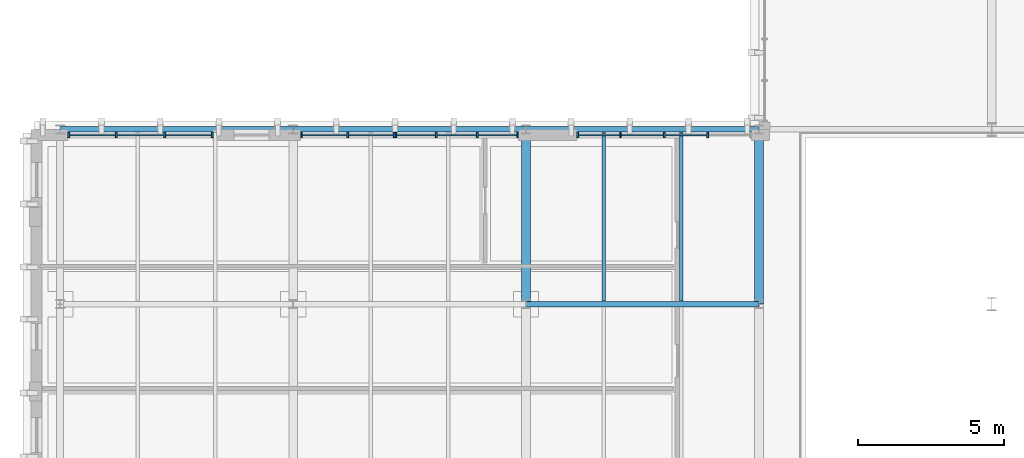
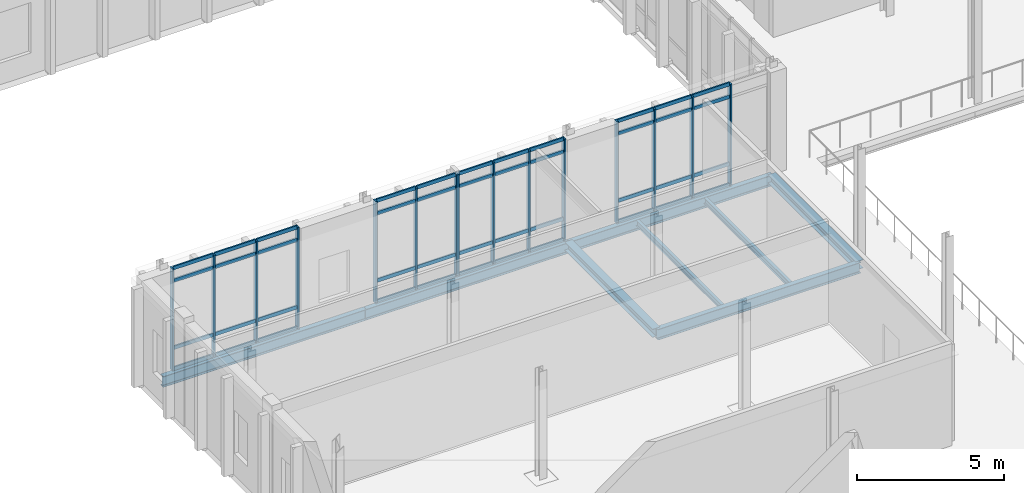
# One storey, part 15 of 100: 59 members, 8 beams, 4 elements without a shape of their own.
"""IFC4 building model written with IfcOpenShell, lengths in metres."""

from ifc_helpers import new_model, si_unit, direction, frame, origin, origin_2d, place, context, subcontext, project, spatial, rectangle, i_section, extrude, material, material_profile, profile_set, type_object, element, aggregate, save


model = new_model("IFC4")

# Units and contexts
model_context = context("Model", 3, precision=1e-05, world=origin(), true_north=direction((0.0, 1.0)))
body_context = subcontext(model_context, "Body", "Model", "MODEL_VIEW")
ifc_project = project(units=[si_unit("LENGTHUNIT", "METRE"), si_unit("AREAUNIT", "SQUARE_METRE"), si_unit("VOLUMEUNIT", "CUBIC_METRE"), si_unit("PLANEANGLEUNIT", "RADIAN"), si_unit("MASSUNIT", "GRAM", prefix="KILO")], contexts=[model_context])

# Site, building, storey
site_placement = place(None, origin())
site = spatial("IfcSite", under=ifc_project, at=site_placement, CompositionType="ELEMENT")
building_placement = place(site_placement, origin())
building = spatial("IfcBuilding", under=site, at=building_placement, Name="Cymarion Research Institute", CompositionType="ELEMENT")
storey_placement = place(building_placement, frame((0.0, 0.0, 9.300048828125)))
storey = spatial("IfcBuildingStorey", under=building, at=storey_placement, Name="L02", CompositionType="ELEMENT", Elevation=9.300048828125)

# Curtain wall, members
ifc_material_1 = material(Name="Anodised aluminium unitised curtain wall with Low-E glazing", Category="aluminium")
curtain_wall_type_1 = type_object("IfcCurtainWallType", Name="UNITISED CURTAIN WALL CW16 5990X4250", PredefinedType="NOTDEFINED", material=ifc_material_1)
curtain_wall_1_placement = place(storey_placement, origin())
curtain_wall_1 = element("IfcCurtainWall", 1, at=curtain_wall_1_placement, inside=storey, type_object=curtain_wall_type_1, Name="L02 V3 unitised curtain wall CW16 #94", PredefinedType="NOTDEFINED")
ifc_material_2 = material(Name="Anodised aluminium framing", Category="aluminium")
ifc_material_profile_1 = material_profile(ifc_material_2, rectangle(XDim=0.06005859375, YDim=0.179931640625, at=origin_2d()), Name="ALU MULLION 60x180")
ifc_profile_set_1 = profile_set([ifc_material_profile_1], Name="Anodised aluminium framing")
member_type_1 = type_object("IfcMemberType", Name="CURTAIN WALL MULLION ML01 60X180", PredefinedType="MULLION", material=ifc_profile_set_1)
member_1_placement = place(storey_placement, frame((28.842529296875, 29.31005859375, 0.0), z_axis=(0.0, 0.0, 1.0), x_axis=(-1.0, 0.0, 0.0)))
member_1 = element("IfcMember", 2, at=member_1_placement, type_object=member_type_1, Name="CW16 mullion 2", PredefinedType="MULLION", context=body_context, shape_type="SweptSolid", body=[
    extrude(rectangle(XDim=0.06005859375, YDim=0.179931640625, at=origin_2d()), origin(), (0.0, 0.0, 1.0), 4.25),
])
member_2_placement = place(storey_placement, frame((27.344970703125, 29.31005859375, 0.0), z_axis=(0.0, 0.0, 1.0), x_axis=(-1.0, 0.0, 0.0)))
member_2 = element("IfcMember", 3, at=member_2_placement, type_object=member_type_1, Name="CW16 mullion 3", PredefinedType="MULLION", context=body_context, shape_type="SweptSolid", body=[
    extrude(rectangle(XDim=0.06005859375, YDim=0.179931640625, at=origin_2d()), origin(), (0.0, 0.0, 1.0), 4.25),
])
member_3_placement = place(storey_placement, frame((25.847412109375, 29.31005859375, 0.0), z_axis=(0.0, 0.0, 1.0), x_axis=(-1.0, 0.0, 0.0)))
member_3 = element("IfcMember", 4, at=member_3_placement, type_object=member_type_1, Name="CW16 mullion 4", PredefinedType="MULLION", context=body_context, shape_type="SweptSolid", body=[
    extrude(rectangle(XDim=0.06005859375, YDim=0.179931640625, at=origin_2d()), origin(), (0.0, 0.0, 1.0), 4.25),
])
member_4_placement = place(storey_placement, frame((24.3798828125, 29.31005859375, 0.0), z_axis=(0.0, 0.0, 1.0), x_axis=(-1.0, 0.0, 0.0)))
member_4 = element("IfcMember", 5, at=member_4_placement, type_object=member_type_1, Name="CW16 mullion 5", PredefinedType="MULLION", context=body_context, shape_type="SweptSolid", body=[
    extrude(rectangle(XDim=0.06005859375, YDim=0.179931640625, at=origin_2d()), origin(), (0.0, 0.0, 1.0), 4.25),
])

curtain_wall_type_2 = type_object("IfcCurtainWallType", Name="UNITISED CURTAIN WALL CW17 4240X4250", PredefinedType="NOTDEFINED", material=ifc_material_1)
curtain_wall_2_placement = place(storey_placement, origin())
curtain_wall_2 = element("IfcCurtainWall", 6, at=curtain_wall_2_placement, inside=storey, type_object=curtain_wall_type_2, Name="L02 V3 unitised curtain wall CW17 #95", PredefinedType="NOTDEFINED")
member_5_placement = place(storey_placement, frame((22.31005859375, 29.31005859375, 0.0), z_axis=(0.0, 0.0, 1.0), x_axis=(-1.0, 0.0, 0.0)))
member_5 = element("IfcMember", 7, at=member_5_placement, type_object=member_type_1, Name="CW17 mullion 1", PredefinedType="MULLION", context=body_context, shape_type="SweptSolid", body=[
    extrude(rectangle(XDim=0.06005859375, YDim=0.179931640625, at=origin_2d()), origin(), (0.0, 0.0, 1.0), 4.25),
])
member_6_placement = place(storey_placement, frame((20.9267578125, 29.31005859375, 0.0), z_axis=(0.0, 0.0, 1.0), x_axis=(-1.0, 0.0, 0.0)))
member_6 = element("IfcMember", 8, at=member_6_placement, type_object=member_type_1, Name="CW17 mullion 2", PredefinedType="MULLION", context=body_context, shape_type="SweptSolid", body=[
    extrude(rectangle(XDim=0.06005859375, YDim=0.179931640625, at=origin_2d()), origin(), (0.0, 0.0, 1.0), 4.25),
])
member_7_placement = place(storey_placement, frame((19.513427734375, 29.31005859375, 0.0), z_axis=(0.0, 0.0, 1.0), x_axis=(-1.0, 0.0, 0.0)))
member_7 = element("IfcMember", 9, at=member_7_placement, type_object=member_type_1, Name="CW17 mullion 3", PredefinedType="MULLION", context=body_context, shape_type="SweptSolid", body=[
    extrude(rectangle(XDim=0.06005859375, YDim=0.179931640625, at=origin_2d()), origin(), (0.0, 0.0, 1.0), 4.25),
])
member_8_placement = place(storey_placement, frame((18.1298828125, 29.31005859375, 0.0), z_axis=(0.0, 0.0, 1.0), x_axis=(-1.0, 0.0, 0.0)))
member_8 = element("IfcMember", 10, at=member_8_placement, type_object=member_type_1, Name="CW17 mullion 4", PredefinedType="MULLION", context=body_context, shape_type="SweptSolid", body=[
    extrude(rectangle(XDim=0.06005859375, YDim=0.179931640625, at=origin_2d()), origin(), (0.0, 0.0, 1.0), 4.25),
])

curtain_wall_type_3 = type_object("IfcCurtainWallType", Name="UNITISED CURTAIN WALL CW18 3240X4250", PredefinedType="NOTDEFINED", material=ifc_material_1)
curtain_wall_3_placement = place(storey_placement, origin())
curtain_wall_3 = element("IfcCurtainWall", 11, at=curtain_wall_3_placement, inside=storey, type_object=curtain_wall_type_3, Name="L02 V3 unitised curtain wall CW18 #96", PredefinedType="NOTDEFINED")
member_9_placement = place(storey_placement, frame((18.070068359375, 29.31005859375, 0.0), z_axis=(0.0, 0.0, 1.0), x_axis=(-1.0, 0.0, 0.0)))
member_9 = element("IfcMember", 12, at=member_9_placement, type_object=member_type_1, Name="CW18 mullion 1", PredefinedType="MULLION", context=body_context, shape_type="SweptSolid", body=[
    extrude(rectangle(XDim=0.06005859375, YDim=0.179931640625, at=origin_2d()), origin(), (0.0, 0.0, 1.0), 4.25),
])
member_10_placement = place(storey_placement, frame((16.47998046875, 29.31005859375, 0.0), z_axis=(0.0, 0.0, 1.0), x_axis=(-1.0, 0.0, 0.0)))
member_10 = element("IfcMember", 13, at=member_10_placement, type_object=member_type_1, Name="CW18 mullion 2", PredefinedType="MULLION", context=body_context, shape_type="SweptSolid", body=[
    extrude(rectangle(XDim=0.06005859375, YDim=0.179931640625, at=origin_2d()), origin(), (0.0, 0.0, 1.0), 4.25),
])
member_11_placement = place(storey_placement, frame((14.889892578125, 29.31005859375, 0.0), z_axis=(0.0, 0.0, 1.0), x_axis=(-1.0, 0.0, 0.0)))
member_11 = element("IfcMember", 14, at=member_11_placement, type_object=member_type_1, Name="CW18 mullion 3", PredefinedType="MULLION", context=body_context, shape_type="SweptSolid", body=[
    extrude(rectangle(XDim=0.06005859375, YDim=0.179931640625, at=origin_2d()), origin(), (0.0, 0.0, 1.0), 4.25),
])

curtain_wall_type_4 = type_object("IfcCurtainWallType", Name="UNITISED CURTAIN WALL CW19 4990X4250", PredefinedType="NOTDEFINED", material=ifc_material_1)
curtain_wall_4_placement = place(storey_placement, origin())
curtain_wall_4 = element("IfcCurtainWall", 15, at=curtain_wall_4_placement, inside=storey, type_object=curtain_wall_type_4, Name="L02 V3 unitised curtain wall CW19 #97", PredefinedType="NOTDEFINED")
member_12_placement = place(storey_placement, frame((11.820068359375, 29.31005859375, 0.0), z_axis=(0.0, 0.0, 1.0), x_axis=(-1.0, 0.0, 0.0)))
member_12 = element("IfcMember", 16, at=member_12_placement, type_object=member_type_1, Name="CW19 mullion 1", PredefinedType="MULLION", context=body_context, shape_type="SweptSolid", body=[
    extrude(rectangle(XDim=0.06005859375, YDim=0.179931640625, at=origin_2d()), origin(), (0.0, 0.0, 1.0), 4.25),
])
member_13_placement = place(storey_placement, frame((10.186767578125, 29.31005859375, 0.0), z_axis=(0.0, 0.0, 1.0), x_axis=(-1.0, 0.0, 0.0)))
member_13 = element("IfcMember", 17, at=member_13_placement, type_object=member_type_1, Name="CW19 mullion 2", PredefinedType="MULLION", context=body_context, shape_type="SweptSolid", body=[
    extrude(rectangle(XDim=0.06005859375, YDim=0.179931640625, at=origin_2d()), origin(), (0.0, 0.0, 1.0), 4.25),
])
member_14_placement = place(storey_placement, frame((8.5234375, 29.31005859375, 0.0), z_axis=(0.0, 0.0, 1.0), x_axis=(-1.0, 0.0, 0.0)))
member_14 = element("IfcMember", 18, at=member_14_placement, type_object=member_type_1, Name="CW19 mullion 3", PredefinedType="MULLION", context=body_context, shape_type="SweptSolid", body=[
    extrude(rectangle(XDim=0.06005859375, YDim=0.179931640625, at=origin_2d()), origin(), (0.0, 0.0, 1.0), 4.25),
])
member_15_placement = place(storey_placement, frame((6.889892578125, 29.31005859375, 0.0), z_axis=(0.0, 0.0, 1.0), x_axis=(-1.0, 0.0, 0.0)))
member_15 = element("IfcMember", 19, at=member_15_placement, type_object=member_type_1, Name="CW19 mullion 4", PredefinedType="MULLION", context=body_context, shape_type="SweptSolid", body=[
    extrude(rectangle(XDim=0.06005859375, YDim=0.179931640625, at=origin_2d()), origin(), (0.0, 0.0, 1.0), 4.25),
])

# Member
ifc_material_profile_2 = material_profile(ifc_material_2, rectangle(XDim=0.06005859375, YDim=0.14990234375, at=origin_2d()), Name="ALU TRANSOM 60x150")
ifc_profile_set_2 = profile_set([ifc_material_profile_2], Name="Anodised aluminium framing")
member_type_2 = type_object("IfcMemberType", Name="CURTAIN WALL TRANSOM TR01 60X150", PredefinedType="USERDEFINED", material=ifc_profile_set_2)
member_16_placement = place(storey_placement, frame((28.8125, 29.31005859375, 0.030029296875), z_axis=(-1.0, 0.0, 0.0), x_axis=(0.0, -1.0, 0.0)))
member_16 = element("IfcMember", 20, at=member_16_placement, type_object=member_type_2, Name="CW16 transom 2.1", ObjectType="TRANSOM", PredefinedType="USERDEFINED", context=body_context, shape_type="SweptSolid", body=[
    extrude(rectangle(XDim=0.06005859375, YDim=0.14990234375, at=origin_2d()), origin(), (0.0, 0.0, 1.0), 1.4375),
])

member_17_placement = place(storey_placement, frame((28.8125, 29.31005859375, 0.89990234375), z_axis=(-1.0, 0.0, 0.0), x_axis=(0.0, -1.0, 0.0)))
member_17 = element("IfcMember", 21, at=member_17_placement, type_object=member_type_2, Name="CW16 transom 2.2", ObjectType="TRANSOM", PredefinedType="USERDEFINED", context=body_context, shape_type="SweptSolid", body=[
    extrude(rectangle(XDim=0.06005859375, YDim=0.14990234375, at=origin_2d()), origin(), (0.0, 0.0, 1.0), 1.4375),
])

member_18_placement = place(storey_placement, frame((28.8125, 29.31005859375, 3.699951171875), z_axis=(-1.0, 0.0, 0.0), x_axis=(0.0, -1.0, 0.0)))
member_18 = element("IfcMember", 22, at=member_18_placement, type_object=member_type_2, Name="CW16 transom 2.3", ObjectType="TRANSOM", PredefinedType="USERDEFINED", context=body_context, shape_type="SweptSolid", body=[
    extrude(rectangle(XDim=0.06005859375, YDim=0.14990234375, at=origin_2d()), origin(), (0.0, 0.0, 1.0), 1.4375),
])

member_19_placement = place(storey_placement, frame((28.8125, 29.31005859375, 4.219970703125), z_axis=(-1.0, 0.0, 0.0), x_axis=(0.0, -1.0, 0.0)))
member_19 = element("IfcMember", 23, at=member_19_placement, type_object=member_type_2, Name="CW16 transom 2.4", ObjectType="TRANSOM", PredefinedType="USERDEFINED", context=body_context, shape_type="SweptSolid", body=[
    extrude(rectangle(XDim=0.06005859375, YDim=0.14990234375, at=origin_2d()), origin(), (0.0, 0.0, 1.0), 1.4375),
])

member_20_placement = place(storey_placement, frame((27.31494140625, 29.31005859375, 0.030029296875), z_axis=(-1.0, 0.0, 0.0), x_axis=(0.0, -1.0, 0.0)))
member_20 = element("IfcMember", 24, at=member_20_placement, type_object=member_type_2, Name="CW16 transom 3.1", ObjectType="TRANSOM", PredefinedType="USERDEFINED", context=body_context, shape_type="SweptSolid", body=[
    extrude(rectangle(XDim=0.06005859375, YDim=0.14990234375, at=origin_2d()), origin(), (0.0, 0.0, 1.0), 1.4375),
])

member_21_placement = place(storey_placement, frame((27.31494140625, 29.31005859375, 0.89990234375), z_axis=(-1.0, 0.0, 0.0), x_axis=(0.0, -1.0, 0.0)))
member_21 = element("IfcMember", 25, at=member_21_placement, type_object=member_type_2, Name="CW16 transom 3.2", ObjectType="TRANSOM", PredefinedType="USERDEFINED", context=body_context, shape_type="SweptSolid", body=[
    extrude(rectangle(XDim=0.06005859375, YDim=0.14990234375, at=origin_2d()), origin(), (0.0, 0.0, 1.0), 1.4375),
])

member_22_placement = place(storey_placement, frame((27.31494140625, 29.31005859375, 3.699951171875), z_axis=(-1.0, 0.0, 0.0), x_axis=(0.0, -1.0, 0.0)))
member_22 = element("IfcMember", 26, at=member_22_placement, type_object=member_type_2, Name="CW16 transom 3.3", ObjectType="TRANSOM", PredefinedType="USERDEFINED", context=body_context, shape_type="SweptSolid", body=[
    extrude(rectangle(XDim=0.06005859375, YDim=0.14990234375, at=origin_2d()), origin(), (0.0, 0.0, 1.0), 1.4375),
])

member_23_placement = place(storey_placement, frame((27.31494140625, 29.31005859375, 4.219970703125), z_axis=(-1.0, 0.0, 0.0), x_axis=(0.0, -1.0, 0.0)))
member_23 = element("IfcMember", 27, at=member_23_placement, type_object=member_type_2, Name="CW16 transom 3.4", ObjectType="TRANSOM", PredefinedType="USERDEFINED", context=body_context, shape_type="SweptSolid", body=[
    extrude(rectangle(XDim=0.06005859375, YDim=0.14990234375, at=origin_2d()), origin(), (0.0, 0.0, 1.0), 1.4375),
])

member_24_placement = place(storey_placement, frame((25.8173828125, 29.31005859375, 0.030029296875), z_axis=(-1.0, 0.0, 0.0), x_axis=(0.0, -1.0, 0.0)))
member_24 = element("IfcMember", 28, at=member_24_placement, type_object=member_type_2, Name="CW16 transom 4.1", ObjectType="TRANSOM", PredefinedType="USERDEFINED", context=body_context, shape_type="SweptSolid", body=[
    extrude(rectangle(XDim=0.06005859375, YDim=0.14990234375, at=origin_2d()), origin(), (0.0, 0.0, 1.0), 1.407470703125),
])

member_25_placement = place(storey_placement, frame((25.8173828125, 29.31005859375, 0.89990234375), z_axis=(-1.0, 0.0, 0.0), x_axis=(0.0, -1.0, 0.0)))
member_25 = element("IfcMember", 29, at=member_25_placement, type_object=member_type_2, Name="CW16 transom 4.2", ObjectType="TRANSOM", PredefinedType="USERDEFINED", context=body_context, shape_type="SweptSolid", body=[
    extrude(rectangle(XDim=0.06005859375, YDim=0.14990234375, at=origin_2d()), origin(), (0.0, 0.0, 1.0), 1.407470703125),
])

member_26_placement = place(storey_placement, frame((25.8173828125, 29.31005859375, 3.699951171875), z_axis=(-1.0, 0.0, 0.0), x_axis=(0.0, -1.0, 0.0)))
member_26 = element("IfcMember", 30, at=member_26_placement, type_object=member_type_2, Name="CW16 transom 4.3", ObjectType="TRANSOM", PredefinedType="USERDEFINED", context=body_context, shape_type="SweptSolid", body=[
    extrude(rectangle(XDim=0.06005859375, YDim=0.14990234375, at=origin_2d()), origin(), (0.0, 0.0, 1.0), 1.407470703125),
])

member_27_placement = place(storey_placement, frame((25.8173828125, 29.31005859375, 4.219970703125), z_axis=(-1.0, 0.0, 0.0), x_axis=(0.0, -1.0, 0.0)))
member_27 = element("IfcMember", 31, at=member_27_placement, type_object=member_type_2, Name="CW16 transom 4.4", ObjectType="TRANSOM", PredefinedType="USERDEFINED", context=body_context, shape_type="SweptSolid", body=[
    extrude(rectangle(XDim=0.06005859375, YDim=0.14990234375, at=origin_2d()), origin(), (0.0, 0.0, 1.0), 1.407470703125),
])

aggregate(curtain_wall_1, [member_1, member_2, member_3, member_4, member_16, member_17, member_18, member_19, member_20, member_21, member_22, member_23, member_24, member_25, member_26, member_27])

member_28_placement = place(storey_placement, frame((22.280029296875, 29.31005859375, 0.030029296875), z_axis=(-1.0, 0.0, 0.0), x_axis=(0.0, -1.0, 0.0)))
member_28 = element("IfcMember", 32, at=member_28_placement, type_object=member_type_2, Name="CW17 transom 1.1", ObjectType="TRANSOM", PredefinedType="USERDEFINED", context=body_context, shape_type="SweptSolid", body=[
    extrude(rectangle(XDim=0.06005859375, YDim=0.14990234375, at=origin_2d()), origin(), (0.0, 0.0, 1.0), 1.3232421875),
])

member_29_placement = place(storey_placement, frame((22.280029296875, 29.31005859375, 0.89990234375), z_axis=(-1.0, 0.0, 0.0), x_axis=(0.0, -1.0, 0.0)))
member_29 = element("IfcMember", 33, at=member_29_placement, type_object=member_type_2, Name="CW17 transom 1.2", ObjectType="TRANSOM", PredefinedType="USERDEFINED", context=body_context, shape_type="SweptSolid", body=[
    extrude(rectangle(XDim=0.06005859375, YDim=0.14990234375, at=origin_2d()), origin(), (0.0, 0.0, 1.0), 1.3232421875),
])

member_30_placement = place(storey_placement, frame((22.280029296875, 29.31005859375, 3.699951171875), z_axis=(-1.0, 0.0, 0.0), x_axis=(0.0, -1.0, 0.0)))
member_30 = element("IfcMember", 34, at=member_30_placement, type_object=member_type_2, Name="CW17 transom 1.3", ObjectType="TRANSOM", PredefinedType="USERDEFINED", context=body_context, shape_type="SweptSolid", body=[
    extrude(rectangle(XDim=0.06005859375, YDim=0.14990234375, at=origin_2d()), origin(), (0.0, 0.0, 1.0), 1.3232421875),
])

member_31_placement = place(storey_placement, frame((22.280029296875, 29.31005859375, 4.219970703125), z_axis=(-1.0, 0.0, 0.0), x_axis=(0.0, -1.0, 0.0)))
member_31 = element("IfcMember", 35, at=member_31_placement, type_object=member_type_2, Name="CW17 transom 1.4", ObjectType="TRANSOM", PredefinedType="USERDEFINED", context=body_context, shape_type="SweptSolid", body=[
    extrude(rectangle(XDim=0.06005859375, YDim=0.14990234375, at=origin_2d()), origin(), (0.0, 0.0, 1.0), 1.3232421875),
])

member_32_placement = place(storey_placement, frame((20.896728515625, 29.31005859375, 0.030029296875), z_axis=(-1.0, 0.0, 0.0), x_axis=(0.0, -1.0, 0.0)))
member_32 = element("IfcMember", 36, at=member_32_placement, type_object=member_type_2, Name="CW17 transom 2.1", ObjectType="TRANSOM", PredefinedType="USERDEFINED", context=body_context, shape_type="SweptSolid", body=[
    extrude(rectangle(XDim=0.06005859375, YDim=0.14990234375, at=origin_2d()), origin(), (0.0, 0.0, 1.0), 1.353515625),
])

member_33_placement = place(storey_placement, frame((20.896728515625, 29.31005859375, 0.89990234375), z_axis=(-1.0, 0.0, 0.0), x_axis=(0.0, -1.0, 0.0)))
member_33 = element("IfcMember", 37, at=member_33_placement, type_object=member_type_2, Name="CW17 transom 2.2", ObjectType="TRANSOM", PredefinedType="USERDEFINED", context=body_context, shape_type="SweptSolid", body=[
    extrude(rectangle(XDim=0.06005859375, YDim=0.14990234375, at=origin_2d()), origin(), (0.0, 0.0, 1.0), 1.353515625),
])

member_34_placement = place(storey_placement, frame((20.896728515625, 29.31005859375, 3.699951171875), z_axis=(-1.0, 0.0, 0.0), x_axis=(0.0, -1.0, 0.0)))
member_34 = element("IfcMember", 38, at=member_34_placement, type_object=member_type_2, Name="CW17 transom 2.3", ObjectType="TRANSOM", PredefinedType="USERDEFINED", context=body_context, shape_type="SweptSolid", body=[
    extrude(rectangle(XDim=0.06005859375, YDim=0.14990234375, at=origin_2d()), origin(), (0.0, 0.0, 1.0), 1.353515625),
])

member_35_placement = place(storey_placement, frame((20.896728515625, 29.31005859375, 4.219970703125), z_axis=(-1.0, 0.0, 0.0), x_axis=(0.0, -1.0, 0.0)))
member_35 = element("IfcMember", 39, at=member_35_placement, type_object=member_type_2, Name="CW17 transom 2.4", ObjectType="TRANSOM", PredefinedType="USERDEFINED", context=body_context, shape_type="SweptSolid", body=[
    extrude(rectangle(XDim=0.06005859375, YDim=0.14990234375, at=origin_2d()), origin(), (0.0, 0.0, 1.0), 1.353515625),
])

member_36_placement = place(storey_placement, frame((19.4833984375, 29.31005859375, 0.030029296875), z_axis=(-1.0, 0.0, 0.0), x_axis=(0.0, -1.0, 0.0)))
member_36 = element("IfcMember", 40, at=member_36_placement, type_object=member_type_2, Name="CW17 transom 3.1", ObjectType="TRANSOM", PredefinedType="USERDEFINED", context=body_context, shape_type="SweptSolid", body=[
    extrude(rectangle(XDim=0.06005859375, YDim=0.14990234375, at=origin_2d()), origin(), (0.0, 0.0, 1.0), 1.323486328125),
])

member_37_placement = place(storey_placement, frame((19.4833984375, 29.31005859375, 0.89990234375), z_axis=(-1.0, 0.0, 0.0), x_axis=(0.0, -1.0, 0.0)))
member_37 = element("IfcMember", 41, at=member_37_placement, type_object=member_type_2, Name="CW17 transom 3.2", ObjectType="TRANSOM", PredefinedType="USERDEFINED", context=body_context, shape_type="SweptSolid", body=[
    extrude(rectangle(XDim=0.06005859375, YDim=0.14990234375, at=origin_2d()), origin(), (0.0, 0.0, 1.0), 1.323486328125),
])

member_38_placement = place(storey_placement, frame((19.4833984375, 29.31005859375, 3.699951171875), z_axis=(-1.0, 0.0, 0.0), x_axis=(0.0, -1.0, 0.0)))
member_38 = element("IfcMember", 42, at=member_38_placement, type_object=member_type_2, Name="CW17 transom 3.3", ObjectType="TRANSOM", PredefinedType="USERDEFINED", context=body_context, shape_type="SweptSolid", body=[
    extrude(rectangle(XDim=0.06005859375, YDim=0.14990234375, at=origin_2d()), origin(), (0.0, 0.0, 1.0), 1.323486328125),
])

member_39_placement = place(storey_placement, frame((19.4833984375, 29.31005859375, 4.219970703125), z_axis=(-1.0, 0.0, 0.0), x_axis=(0.0, -1.0, 0.0)))
member_39 = element("IfcMember", 43, at=member_39_placement, type_object=member_type_2, Name="CW17 transom 3.4", ObjectType="TRANSOM", PredefinedType="USERDEFINED", context=body_context, shape_type="SweptSolid", body=[
    extrude(rectangle(XDim=0.06005859375, YDim=0.14990234375, at=origin_2d()), origin(), (0.0, 0.0, 1.0), 1.323486328125),
])

aggregate(curtain_wall_2, [member_5, member_6, member_7, member_8, member_28, member_29, member_30, member_31, member_32, member_33, member_34, member_35, member_36, member_37, member_38, member_39])

member_40_placement = place(storey_placement, frame((18.0400390625, 29.31005859375, 0.030029296875), z_axis=(-1.0, 0.0, 0.0), x_axis=(0.0, -1.0, 0.0)))
member_40 = element("IfcMember", 44, at=member_40_placement, type_object=member_type_2, Name="CW18 transom 1.1", ObjectType="TRANSOM", PredefinedType="USERDEFINED", context=body_context, shape_type="SweptSolid", body=[
    extrude(rectangle(XDim=0.06005859375, YDim=0.14990234375, at=origin_2d()), origin(), (0.0, 0.0, 1.0), 1.530029296875),
])

member_41_placement = place(storey_placement, frame((18.0400390625, 29.31005859375, 0.89990234375), z_axis=(-1.0, 0.0, 0.0), x_axis=(0.0, -1.0, 0.0)))
member_41 = element("IfcMember", 45, at=member_41_placement, type_object=member_type_2, Name="CW18 transom 1.2", ObjectType="TRANSOM", PredefinedType="USERDEFINED", context=body_context, shape_type="SweptSolid", body=[
    extrude(rectangle(XDim=0.06005859375, YDim=0.14990234375, at=origin_2d()), origin(), (0.0, 0.0, 1.0), 1.530029296875),
])

member_42_placement = place(storey_placement, frame((18.0400390625, 29.31005859375, 3.699951171875), z_axis=(-1.0, 0.0, 0.0), x_axis=(0.0, -1.0, 0.0)))
member_42 = element("IfcMember", 46, at=member_42_placement, type_object=member_type_2, Name="CW18 transom 1.3", ObjectType="TRANSOM", PredefinedType="USERDEFINED", context=body_context, shape_type="SweptSolid", body=[
    extrude(rectangle(XDim=0.06005859375, YDim=0.14990234375, at=origin_2d()), origin(), (0.0, 0.0, 1.0), 1.530029296875),
])

member_43_placement = place(storey_placement, frame((18.0400390625, 29.31005859375, 4.219970703125), z_axis=(-1.0, 0.0, 0.0), x_axis=(0.0, -1.0, 0.0)))
member_43 = element("IfcMember", 47, at=member_43_placement, type_object=member_type_2, Name="CW18 transom 1.4", ObjectType="TRANSOM", PredefinedType="USERDEFINED", context=body_context, shape_type="SweptSolid", body=[
    extrude(rectangle(XDim=0.06005859375, YDim=0.14990234375, at=origin_2d()), origin(), (0.0, 0.0, 1.0), 1.530029296875),
])

member_44_placement = place(storey_placement, frame((16.449951171875, 29.31005859375, 0.030029296875), z_axis=(-1.0, 0.0, 0.0), x_axis=(0.0, -1.0, 0.0)))
member_44 = element("IfcMember", 48, at=member_44_placement, type_object=member_type_2, Name="CW18 transom 2.1", ObjectType="TRANSOM", PredefinedType="USERDEFINED", context=body_context, shape_type="SweptSolid", body=[
    extrude(rectangle(XDim=0.06005859375, YDim=0.14990234375, at=origin_2d()), origin(), (0.0, 0.0, 1.0), 1.530029296875),
])

member_45_placement = place(storey_placement, frame((16.449951171875, 29.31005859375, 0.89990234375), z_axis=(-1.0, 0.0, 0.0), x_axis=(0.0, -1.0, 0.0)))
member_45 = element("IfcMember", 49, at=member_45_placement, type_object=member_type_2, Name="CW18 transom 2.2", ObjectType="TRANSOM", PredefinedType="USERDEFINED", context=body_context, shape_type="SweptSolid", body=[
    extrude(rectangle(XDim=0.06005859375, YDim=0.14990234375, at=origin_2d()), origin(), (0.0, 0.0, 1.0), 1.530029296875),
])

member_46_placement = place(storey_placement, frame((16.449951171875, 29.31005859375, 3.699951171875), z_axis=(-1.0, 0.0, 0.0), x_axis=(0.0, -1.0, 0.0)))
member_46 = element("IfcMember", 50, at=member_46_placement, type_object=member_type_2, Name="CW18 transom 2.3", ObjectType="TRANSOM", PredefinedType="USERDEFINED", context=body_context, shape_type="SweptSolid", body=[
    extrude(rectangle(XDim=0.06005859375, YDim=0.14990234375, at=origin_2d()), origin(), (0.0, 0.0, 1.0), 1.530029296875),
])

member_47_placement = place(storey_placement, frame((16.449951171875, 29.31005859375, 4.219970703125), z_axis=(-1.0, 0.0, 0.0), x_axis=(0.0, -1.0, 0.0)))
member_47 = element("IfcMember", 51, at=member_47_placement, type_object=member_type_2, Name="CW18 transom 2.4", ObjectType="TRANSOM", PredefinedType="USERDEFINED", context=body_context, shape_type="SweptSolid", body=[
    extrude(rectangle(XDim=0.06005859375, YDim=0.14990234375, at=origin_2d()), origin(), (0.0, 0.0, 1.0), 1.530029296875),
])

aggregate(curtain_wall_3, [member_9, member_10, member_11, member_40, member_41, member_42, member_43, member_44, member_45, member_46, member_47])

member_48_placement = place(storey_placement, frame((11.7900390625, 29.31005859375, 0.030029296875), z_axis=(-1.0, 0.0, 0.0), x_axis=(0.0, -1.0, 0.0)))
member_48 = element("IfcMember", 52, at=member_48_placement, type_object=member_type_2, Name="CW19 transom 1.1", ObjectType="TRANSOM", PredefinedType="USERDEFINED", context=body_context, shape_type="SweptSolid", body=[
    extrude(rectangle(XDim=0.06005859375, YDim=0.14990234375, at=origin_2d()), origin(), (0.0, 0.0, 1.0), 1.573486328125),
])

member_49_placement = place(storey_placement, frame((11.7900390625, 29.31005859375, 0.89990234375), z_axis=(-1.0, 0.0, 0.0), x_axis=(0.0, -1.0, 0.0)))
member_49 = element("IfcMember", 53, at=member_49_placement, type_object=member_type_2, Name="CW19 transom 1.2", ObjectType="TRANSOM", PredefinedType="USERDEFINED", context=body_context, shape_type="SweptSolid", body=[
    extrude(rectangle(XDim=0.06005859375, YDim=0.14990234375, at=origin_2d()), origin(), (0.0, 0.0, 1.0), 1.573486328125),
])

member_50_placement = place(storey_placement, frame((11.7900390625, 29.31005859375, 3.699951171875), z_axis=(-1.0, 0.0, 0.0), x_axis=(0.0, -1.0, 0.0)))
member_50 = element("IfcMember", 54, at=member_50_placement, type_object=member_type_2, Name="CW19 transom 1.3", ObjectType="TRANSOM", PredefinedType="USERDEFINED", context=body_context, shape_type="SweptSolid", body=[
    extrude(rectangle(XDim=0.06005859375, YDim=0.14990234375, at=origin_2d()), origin(), (0.0, 0.0, 1.0), 1.573486328125),
])

member_51_placement = place(storey_placement, frame((11.7900390625, 29.31005859375, 4.219970703125), z_axis=(-1.0, 0.0, 0.0), x_axis=(0.0, -1.0, 0.0)))
member_51 = element("IfcMember", 55, at=member_51_placement, type_object=member_type_2, Name="CW19 transom 1.4", ObjectType="TRANSOM", PredefinedType="USERDEFINED", context=body_context, shape_type="SweptSolid", body=[
    extrude(rectangle(XDim=0.06005859375, YDim=0.14990234375, at=origin_2d()), origin(), (0.0, 0.0, 1.0), 1.573486328125),
])

member_52_placement = place(storey_placement, frame((10.15673828125, 29.31005859375, 0.030029296875), z_axis=(-1.0, 0.0, 0.0), x_axis=(0.0, -1.0, 0.0)))
member_52 = element("IfcMember", 56, at=member_52_placement, type_object=member_type_2, Name="CW19 transom 2.1", ObjectType="TRANSOM", PredefinedType="USERDEFINED", context=body_context, shape_type="SweptSolid", body=[
    extrude(rectangle(XDim=0.06005859375, YDim=0.14990234375, at=origin_2d()), origin(), (0.0, 0.0, 1.0), 1.603515625),
])

member_53_placement = place(storey_placement, frame((10.15673828125, 29.31005859375, 0.89990234375), z_axis=(-1.0, 0.0, 0.0), x_axis=(0.0, -1.0, 0.0)))
member_53 = element("IfcMember", 57, at=member_53_placement, type_object=member_type_2, Name="CW19 transom 2.2", ObjectType="TRANSOM", PredefinedType="USERDEFINED", context=body_context, shape_type="SweptSolid", body=[
    extrude(rectangle(XDim=0.06005859375, YDim=0.14990234375, at=origin_2d()), origin(), (0.0, 0.0, 1.0), 1.603515625),
])

member_54_placement = place(storey_placement, frame((10.15673828125, 29.31005859375, 3.699951171875), z_axis=(-1.0, 0.0, 0.0), x_axis=(0.0, -1.0, 0.0)))
member_54 = element("IfcMember", 58, at=member_54_placement, type_object=member_type_2, Name="CW19 transom 2.3", ObjectType="TRANSOM", PredefinedType="USERDEFINED", context=body_context, shape_type="SweptSolid", body=[
    extrude(rectangle(XDim=0.06005859375, YDim=0.14990234375, at=origin_2d()), origin(), (0.0, 0.0, 1.0), 1.603515625),
])

member_55_placement = place(storey_placement, frame((10.15673828125, 29.31005859375, 4.219970703125), z_axis=(-1.0, 0.0, 0.0), x_axis=(0.0, -1.0, 0.0)))
member_55 = element("IfcMember", 59, at=member_55_placement, type_object=member_type_2, Name="CW19 transom 2.4", ObjectType="TRANSOM", PredefinedType="USERDEFINED", context=body_context, shape_type="SweptSolid", body=[
    extrude(rectangle(XDim=0.06005859375, YDim=0.14990234375, at=origin_2d()), origin(), (0.0, 0.0, 1.0), 1.603515625),
])

member_56_placement = place(storey_placement, frame((8.493408203125, 29.31005859375, 0.030029296875), z_axis=(-1.0, 0.0, 0.0), x_axis=(0.0, -1.0, 0.0)))
member_56 = element("IfcMember", 60, at=member_56_placement, type_object=member_type_2, Name="CW19 transom 3.1", ObjectType="TRANSOM", PredefinedType="USERDEFINED", context=body_context, shape_type="SweptSolid", body=[
    extrude(rectangle(XDim=0.06005859375, YDim=0.14990234375, at=origin_2d()), origin(), (0.0, 0.0, 1.0), 1.573486328125),
])

member_57_placement = place(storey_placement, frame((8.493408203125, 29.31005859375, 0.89990234375), z_axis=(-1.0, 0.0, 0.0), x_axis=(0.0, -1.0, 0.0)))
member_57 = element("IfcMember", 61, at=member_57_placement, type_object=member_type_2, Name="CW19 transom 3.2", ObjectType="TRANSOM", PredefinedType="USERDEFINED", context=body_context, shape_type="SweptSolid", body=[
    extrude(rectangle(XDim=0.06005859375, YDim=0.14990234375, at=origin_2d()), origin(), (0.0, 0.0, 1.0), 1.573486328125),
])

member_58_placement = place(storey_placement, frame((8.493408203125, 29.31005859375, 3.699951171875), z_axis=(-1.0, 0.0, 0.0), x_axis=(0.0, -1.0, 0.0)))
member_58 = element("IfcMember", 62, at=member_58_placement, type_object=member_type_2, Name="CW19 transom 3.3", ObjectType="TRANSOM", PredefinedType="USERDEFINED", context=body_context, shape_type="SweptSolid", body=[
    extrude(rectangle(XDim=0.06005859375, YDim=0.14990234375, at=origin_2d()), origin(), (0.0, 0.0, 1.0), 1.573486328125),
])

member_59_placement = place(storey_placement, frame((8.493408203125, 29.31005859375, 4.219970703125), z_axis=(-1.0, 0.0, 0.0), x_axis=(0.0, -1.0, 0.0)))
member_59 = element("IfcMember", 63, at=member_59_placement, type_object=member_type_2, Name="CW19 transom 3.4", ObjectType="TRANSOM", PredefinedType="USERDEFINED", context=body_context, shape_type="SweptSolid", body=[
    extrude(rectangle(XDim=0.06005859375, YDim=0.14990234375, at=origin_2d()), origin(), (0.0, 0.0, 1.0), 1.573486328125),
])

aggregate(curtain_wall_4, [member_12, member_13, member_14, member_15, member_48, member_49, member_50, member_51, member_52, member_53, member_54, member_55, member_56, member_57, member_58, member_59])

# Beams
ifc_material_3 = material(Name="Steel S355", Category="steel")
ifc_material_profile_3 = material_profile(ifc_material_3, i_section(OverallWidth=0.18994140625, OverallDepth=0.449951171875, WebThickness=0.009521484375, FlangeThickness=0.0146484375, FilletRadius=0.02099609375, at=origin_2d()), Name="IPE 450")
ifc_profile_set_3 = profile_set([ifc_material_profile_3], Name="Steel S355")
beam_type_1 = type_object("IfcBeamType", Name="PRIMARY GIRDER BM04 IPE 450", PredefinedType="BEAM", material=ifc_profile_set_3)
for number, where, z_axis, x_axis, name in (
    (64, (22.60595703125, 23.5, -0.47509765625), (1.0, 0.0, 0.0), (0.0, 1.0, 0.0), "L02 V3 girder BM04 #957"),
    (65, (6.60595703125, 29.5, -0.47509765625), (1.0, 0.0, 0.0), (0.0, 1.0, 0.0), "L02 V3 girder BM04 #958"),
    (66, (14.60595703125, 29.5, -0.47509765625), (1.0, 0.0, 0.0), (0.0, 1.0, 0.0), "L02 V3 girder BM04 #959"),
    (67, (22.60595703125, 29.5, -0.47509765625), (1.0, 0.0, 0.0), (0.0, 1.0, 0.0), "L02 V3 girder BM04 #960"),
):
    element("IfcBeam", number, at=place(storey_placement, frame(where, z_axis=z_axis, x_axis=x_axis)), inside=storey, type_object=beam_type_1, Name=name, PredefinedType="BEAM", context=body_context, shape_type="SweptSolid", body=[
        extrude(i_section(OverallWidth=0.18994140625, OverallDepth=0.449951171875, WebThickness=0.009521484375, FlangeThickness=0.0146484375, FilletRadius=0.02099609375, at=origin_2d()), origin(), (0.0, 0.0, 1.0), 7.988037109375),
    ])
ifc_material_profile_4 = material_profile(ifc_material_3, i_section(OverallWidth=0.300048828125, OverallDepth=0.35009765625, WebThickness=0.010009765625, FlangeThickness=0.017578125, FilletRadius=0.027099609375, at=origin_2d()), Name="HEA 360")
ifc_profile_set_4 = profile_set([ifc_material_profile_4], Name="Steel S355")
beam_type_2 = type_object("IfcBeamType", Name="PRIMARY GIRDER BM12 HEA 360", PredefinedType="BEAM", material=ifc_profile_set_4)
for number, where, z_axis, x_axis, name in (
    (68, (22.60009765625, 23.506103515625, -0.425048828125), (0.0, 1.0, 0.0), (-1.0, 0.0, 0.0), "L02 V3 girder BM12 #980"),
    (69, (30.60009765625, 23.506103515625, -0.425048828125), (0.0, 1.0, 0.0), (-1.0, 0.0, 0.0), "L02 V3 girder BM12 #984"),
):
    element("IfcBeam", number, at=place(storey_placement, frame(where, z_axis=z_axis, x_axis=x_axis)), inside=storey, type_object=beam_type_2, Name=name, PredefinedType="BEAM", context=body_context, shape_type="SweptSolid", body=[
        extrude(i_section(OverallWidth=0.300048828125, OverallDepth=0.35009765625, WebThickness=0.010009765625, FlangeThickness=0.017578125, FilletRadius=0.027099609375, at=origin_2d()), origin(), (0.0, 0.0, 1.0), 5.98779296875),
    ])
ifc_material_profile_5 = material_profile(ifc_material_3, i_section(OverallWidth=0.1201171875, OverallDepth=0.239990234375, WebThickness=0.006103515625, FlangeThickness=0.009765625, FilletRadius=0.014892578125, at=origin_2d()), Name="IPE 240")
ifc_profile_set_5 = profile_set([ifc_material_profile_5], Name="Steel S355")
beam_type_3 = type_object("IfcBeamType", Name="SECONDARY JOIST JS04 IPE 240", PredefinedType="JOIST", material=ifc_profile_set_5)
for number, where, z_axis, x_axis, name in (
    (70, (25.2666015625, 23.59912109375, -0.3701171875), (0.0, 1.0, 0.0), (-1.0, 0.0, 0.0), "L02 V3 secondary joist JS04 #1022"),
    (71, (27.933349609375, 23.59912109375, -0.3701171875), (0.0, 1.0, 0.0), (-1.0, 0.0, 0.0), "L02 V3 secondary joist JS04 #1023"),
):
    element("IfcBeam", number, at=place(storey_placement, frame(where, z_axis=z_axis, x_axis=x_axis)), inside=storey, type_object=beam_type_3, Name=name, PredefinedType="JOIST", context=body_context, shape_type="SweptSolid", body=[
        extrude(i_section(OverallWidth=0.1201171875, OverallDepth=0.239990234375, WebThickness=0.006103515625, FlangeThickness=0.009765625, FilletRadius=0.014892578125, at=origin_2d()), origin(), (0.0, 0.0, 1.0), 5.8017578125),
    ])

save(model, "model.ifc")
